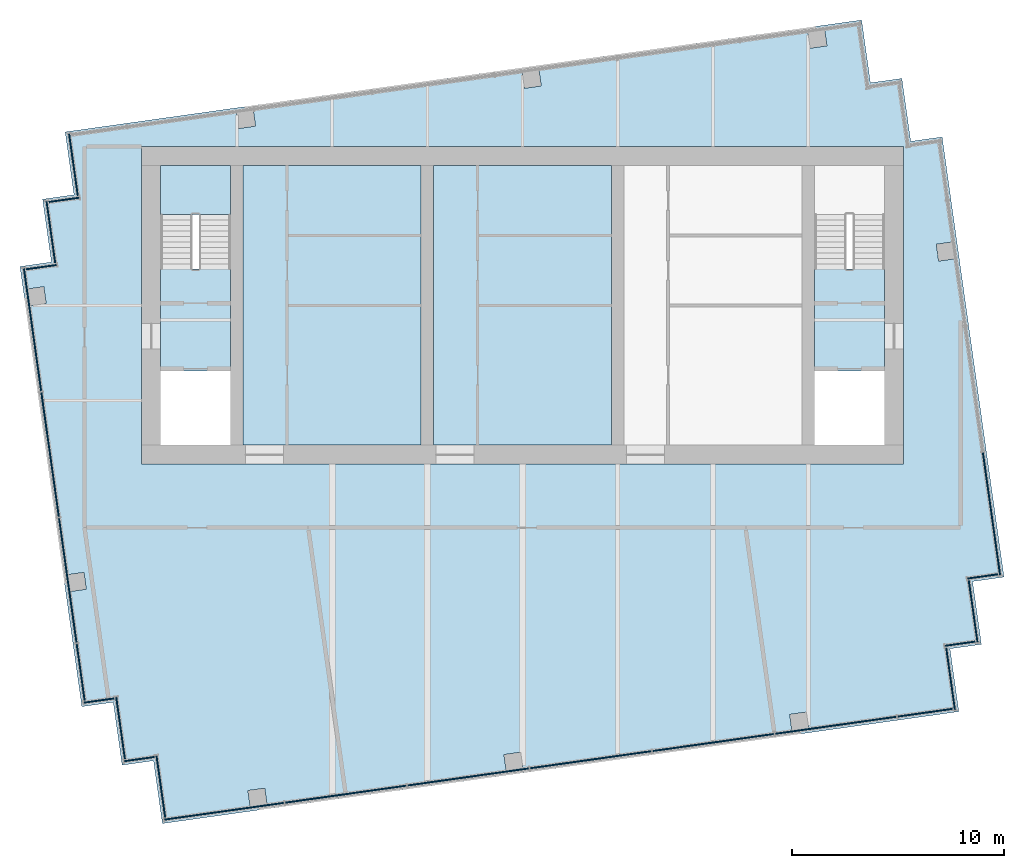
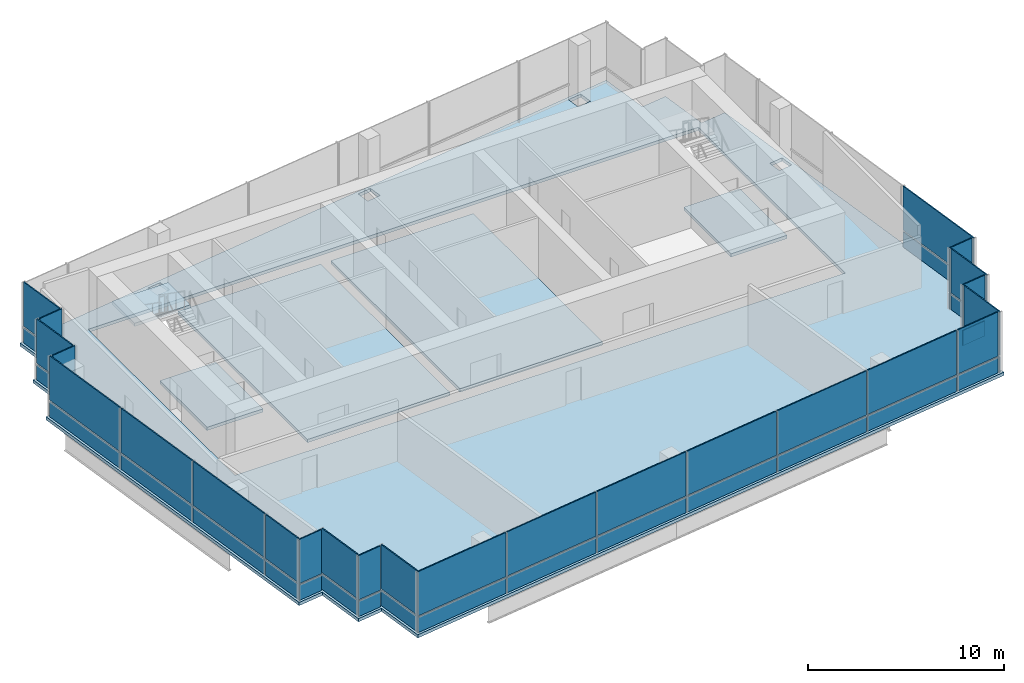
# One storey, part 6 of 9: 48 plates, 6 slabs, 16 elements without a shape of their own.
"""IFC4 building model written with IfcOpenShell, lengths in metres."""

from ifc_helpers import new_model, si_unit, direction, frame, origin, origin_2d, place, context, subcontext, project, spatial, polyline, rectangle, outline, extrude, material, layer, layer_set, type_object, element, aggregate, save


model = new_model("IFC4")

# Units and contexts
model_context = context("Model", 3, precision=1e-05, world=origin(), true_north=direction((0.0, 1.0)))
body_context = subcontext(model_context, "Body", "Model", "MODEL_VIEW")
ifc_project = project(units=[si_unit("LENGTHUNIT", "METRE"), si_unit("AREAUNIT", "SQUARE_METRE"), si_unit("VOLUMEUNIT", "CUBIC_METRE"), si_unit("PLANEANGLEUNIT", "RADIAN"), si_unit("MASSUNIT", "GRAM", prefix="KILO")], contexts=[model_context])

# Site, building, storey
site_placement = place(None, origin())
site = spatial("IfcSite", under=ifc_project, at=site_placement, CompositionType="ELEMENT")
building_placement = place(site_placement, origin())
building = spatial("IfcBuilding", under=site, at=building_placement, Name="Rattan Terrace Tower", CompositionType="ELEMENT")
storey_placement = place(building_placement, frame((0.0, 0.0, 304.300048828125)))
storey = spatial("IfcBuildingStorey", under=building, at=storey_placement, Name="C04", CompositionType="ELEMENT", Elevation=304.300048828125)

# Stair, slab
ifc_material_1 = material(Name="Concrete C40/50", Category="concrete")
stair_type = type_object("IfcStairType", Name="Core exit stair 1500", PredefinedType="HALF_TURN_STAIR", material=ifc_material_1)
stair_placement = place(storey_placement, origin())
stair = element("IfcStair", 1, at=stair_placement, inside=storey, type_object=stair_type, Name="C04 exit stair 1", PredefinedType="HALF_TURN_STAIR")
ifc_material_2 = material(Name="Concrete C40/50", Category="concrete")
ifc_layer_1 = layer(ifc_material_2, 0.199951171875)
ifc_layer_set_1 = layer_set([ifc_layer_1], Name="Core exit stair landing")
slab_type_1 = type_object("IfcSlabType", Name="Core exit stair landing", PredefinedType="LANDING", material=ifc_layer_set_1)
slab_1_placement = place(storey_placement, frame((0.0, 0.0, 1.800048828125)))
slab_1 = element("IfcSlab", 2, at=slab_1_placement, type_object=slab_type_1, Name="S1 landing 1", PredefinedType="LANDING", context=body_context, shape_type="SweptSolid", body=[
    extrude(outline(polyline([(-13.800048828125, 4.300048828125), (-13.800048828125, 6.60009765625), (-17.10009765625, 6.60009765625), (-17.10009765625, 4.300048828125), (-13.800048828125, 4.300048828125)])), origin(), (0.0, 0.0, 1.0), 0.199951171875),
])
aggregate(stair, [slab_1])

# Slabs
ifc_material_3 = material(Name="Concrete C35/45", Category="concrete")
ifc_layer_2 = layer(ifc_material_3, 0.199951171875)
ifc_layer_set_2 = layer_set([ifc_layer_2], Name="Frame composite floor slab 200")
slab_type_2 = type_object("IfcSlabType", Name="Frame composite floor slab 200", PredefinedType="FLOOR", material=ifc_layer_set_2)
slab_2_placement = place(storey_placement, frame((0.0, 0.0, -0.199951171875)))
element("IfcSlab", 3, at=slab_2_placement, inside=storey, type_object=slab_type_2, Name="Floor slab", PredefinedType="FLOOR", context=body_context, shape_type="SweptSolid", body=[
    extrude(outline(polyline([(-22.260986328125, 2.0458984375), (-23.7470703125, 1.8369140625), (-20.823974609375, -18.958984375), (-19.340087890625, -18.75), (-18.9208984375, -21.722900390625), (-17.43701171875, -21.514892578125), (-17.01904296875, -24.48388671875), (-16.52392578125, -24.4140625), (20.115966796875, -19.263916015625), (20.612060546875, -19.195068359375), (20.195068359375, -16.22509765625), (21.678955078125, -16.01611328125), (21.260986328125, -13.0458984375), (22.7470703125, -12.8369140625), (19.823974609375, 7.958984375), (18.340087890625, 7.75), (17.9208984375, 10.722900390625), (16.43701171875, 10.514892578125), (16.01904296875, 13.48388671875), (15.52392578125, 13.4140625), (-21.115966796875, 8.263916015625), (-21.612060546875, 8.195068359375), (-21.195068359375, 5.22509765625), (-22.678955078125, 5.01611328125), (-22.260986328125, 2.0458984375)]), holes=[polyline([(-12.0732421875, -23.6064453125), (-12.1845703125, -22.814208984375), (-12.976806640625, -22.925537109375), (-12.865478515625, -23.7177734375), (-12.0732421875, -23.6064453125)]), polyline([(0.022705078125, -21.906494140625), (-0.088623046875, -21.1142578125), (-0.880859375, -21.2255859375), (-0.769287109375, -22.017822265625), (0.022705078125, -21.906494140625)]), polyline([(-20.7255859375, -12.619140625), (-21.517822265625, -12.730712890625), (-21.406494140625, -13.522705078125), (-20.6142578125, -13.411376953125), (-20.7255859375, -12.619140625)]), polyline([(-18.0, -6.60009765625), (-18.0, -7.5), (18.0, -7.5), (18.0, -6.60009765625), (18.0, 6.60009765625), (18.0, 7.5), (-18.0, 7.5), (-18.0, 6.60009765625), (-18.0, -6.60009765625)]), polyline([(-22.51123046875, 0.088623046875), (-22.62255859375, 0.880859375), (-23.414794921875, 0.769287109375), (-23.303466796875, -0.022705078125), (-22.51123046875, 0.088623046875)]), polyline([(-12.619140625, 8.468505859375), (-12.730712890625, 9.2607421875), (-13.522705078125, 9.1494140625), (-13.411376953125, 8.357177734375), (-12.619140625, 8.468505859375)]), polyline([(13.522705078125, -20.009521484375), (13.411376953125, -19.21728515625), (12.619140625, -19.32861328125), (12.730712890625, -20.120849609375), (13.522705078125, -20.009521484375)]), polyline([(20.45068359375, 2.20556640625), (20.33935546875, 2.997802734375), (19.547119140625, 2.886474609375), (19.65869140625, 2.09423828125), (20.45068359375, 2.20556640625)]), polyline([(0.088623046875, 10.255126953125), (0.880859375, 10.36669921875), (0.769287109375, 11.15869140625), (-0.022705078125, 11.04736328125), (0.088623046875, 10.255126953125)]), polyline([(13.588623046875, 12.152099609375), (14.380859375, 12.263671875), (14.269287109375, 13.055908203125), (13.477294921875, 12.9443359375), (13.588623046875, 12.152099609375)])]), origin(), (0.0, 0.0, 1.0), 0.199951171875),
])
slab_3_placement = place(storey_placement, frame((0.0, 0.0, -0.199951171875)))
element("IfcSlab", 4, at=slab_3_placement, inside=storey, type_object=slab_type_2, Name="Floor slab", PredefinedType="FLOOR", context=body_context, shape_type="SweptSolid", body=[
    extrude(outline(polyline([(-13.199951171875, 6.60009765625), (-13.199951171875, -6.60009765625), (-4.800048828125, -6.60009765625), (-4.800048828125, 6.60009765625), (-13.199951171875, 6.60009765625)])), origin(), (0.0, 0.0, 1.0), 0.199951171875),
])
slab_4_placement = place(storey_placement, frame((0.0, 0.0, -0.199951171875)))
element("IfcSlab", 5, at=slab_4_placement, inside=storey, type_object=slab_type_2, Name="Floor slab", PredefinedType="FLOOR", context=body_context, shape_type="SweptSolid", body=[
    extrude(outline(polyline([(-4.199951171875, 6.60009765625), (-4.199951171875, -6.60009765625), (4.199951171875, -6.60009765625), (4.199951171875, 6.60009765625), (-4.199951171875, 6.60009765625)])), origin(), (0.0, 0.0, 1.0), 0.199951171875),
])
slab_5_placement = place(storey_placement, frame((0.0, 0.0, -0.199951171875)))
element("IfcSlab", 6, at=slab_5_placement, inside=storey, type_object=slab_type_2, Name="Floor slab", PredefinedType="FLOOR", context=body_context, shape_type="SweptSolid", body=[
    extrude(outline(polyline([(-13.800048828125, -3.10009765625), (-13.800048828125, 1.7099609375), (-17.10009765625, 1.7099609375), (-17.10009765625, -3.10009765625), (-13.800048828125, -3.10009765625)])), origin(), (0.0, 0.0, 1.0), 0.199951171875),
])
slab_6_placement = place(storey_placement, frame((0.0, 0.0, -0.199951171875)))
element("IfcSlab", 7, at=slab_6_placement, inside=storey, type_object=slab_type_2, Name="Floor slab", PredefinedType="FLOOR", context=body_context, shape_type="SweptSolid", body=[
    extrude(outline(polyline([(13.800048828125, -3.10009765625), (17.10009765625, -3.10009765625), (17.10009765625, 1.7099609375), (13.800048828125, 1.7099609375), (13.800048828125, -3.10009765625)])), origin(), (0.0, 0.0, 1.0), 0.199951171875),
])

# Curtain wall, plates
ifc_material_4 = material(Name="Aluminium and laminated glass", Category="aluminium")
ifc_layer_3 = layer(ifc_material_4, 0.239990234375)
ifc_layer_set_3 = layer_set([ifc_layer_3], Name="Lantern Stick Curtain Wall")
curtain_wall_type = type_object("IfcCurtainWallType", Name="Lantern Stick Curtain Wall", PredefinedType="NOTDEFINED", material=ifc_layer_set_3)
curtain_wall_1_placement = place(storey_placement, origin())
curtain_wall_1 = element("IfcCurtainWall", 8, at=curtain_wall_1_placement, inside=storey, type_object=curtain_wall_type, Name="Lantern curtain wall C04-1", PredefinedType="NOTDEFINED")
ifc_material_5 = material(Name="Laminated low-iron glass", Category="glass")
ifc_layer_4 = layer(ifc_material_5, 0.06591796875)
ifc_layer_set_4 = layer_set([ifc_layer_4], Name="Lantern CW Laminated Panel")
plate_type = type_object("IfcPlateType", Name="Lantern CW Laminated Panel", PredefinedType="CURTAIN_PANEL", material=ifc_layer_set_4)
plate_1_placement = place(storey_placement, frame((-23.1552734375, -1.152099609375, 0.0), z_axis=(0.0, 0.0, 1.0), x_axis=(0.139187707455, -0.990266015823, 0.0)))
plate_1 = element("IfcPlate", 9, at=plate_1_placement, type_object=plate_type, Name="Panel cwl-C04-001.1.1", PredefinedType="CURTAIN_PANEL", context=body_context, shape_type="SweptSolid", body=[
    extrude(rectangle(XDim=5.844970703125, YDim=0.06591796875, at=origin_2d()), origin(), (0.0, 0.0, 1.0), 0.949951171875),
])
plate_2_placement = place(storey_placement, frame((-23.1552734375, -1.152099609375, 1.050048828125), z_axis=(0.0, 0.0, 1.0), x_axis=(0.139187707455, -0.990266015823, 0.0)))
plate_2 = element("IfcPlate", 10, at=plate_2_placement, type_object=plate_type, Name="Panel cwl-C04-001.1.2", PredefinedType="CURTAIN_PANEL", context=body_context, shape_type="SweptSolid", body=[
    extrude(rectangle(XDim=5.844970703125, YDim=0.06591796875, at=origin_2d()), origin(), (0.0, 0.0, 1.0), 2.75),
])
plate_3_placement = place(storey_placement, frame((-22.325927734375, -7.0517578125, 0.0), z_axis=(0.0, 0.0, 1.0), x_axis=(0.139187707455, -0.990266015823, 0.0)))
plate_3 = element("IfcPlate", 11, at=plate_3_placement, type_object=plate_type, Name="Panel cwl-C04-001.2.1", PredefinedType="CURTAIN_PANEL", context=body_context, shape_type="SweptSolid", body=[
    extrude(rectangle(XDim=5.929931640625, YDim=0.06591796875, at=origin_2d()), origin(), (0.0, 0.0, 1.0), 0.949951171875),
])
plate_4_placement = place(storey_placement, frame((-22.325927734375, -7.0517578125, 1.050048828125), z_axis=(0.0, 0.0, 1.0), x_axis=(0.139187707455, -0.990266015823, 0.0)))
plate_4 = element("IfcPlate", 12, at=plate_4_placement, type_object=plate_type, Name="Panel cwl-C04-001.2.2", PredefinedType="CURTAIN_PANEL", context=body_context, shape_type="SweptSolid", body=[
    extrude(rectangle(XDim=5.929931640625, YDim=0.06591796875, at=origin_2d()), origin(), (0.0, 0.0, 1.0), 2.75),
])
plate_5_placement = place(storey_placement, frame((-21.49072265625, -12.993408203125, 0.0), z_axis=(0.0, 0.0, 1.0), x_axis=(0.139187707455, -0.990266015823, 0.0)))
plate_5 = element("IfcPlate", 13, at=plate_5_placement, type_object=plate_type, Name="Panel cwl-C04-001.3.1", PredefinedType="CURTAIN_PANEL", context=body_context, shape_type="SweptSolid", body=[
    extrude(rectangle(XDim=5.929931640625, YDim=0.06591796875, at=origin_2d()), origin(), (0.0, 0.0, 1.0), 0.949951171875),
])
plate_6_placement = place(storey_placement, frame((-21.49072265625, -12.993408203125, 1.050048828125), z_axis=(0.0, 0.0, 1.0), x_axis=(0.139187707455, -0.990266015823, 0.0)))
plate_6 = element("IfcPlate", 14, at=plate_6_placement, type_object=plate_type, Name="Panel cwl-C04-001.3.2", PredefinedType="CURTAIN_PANEL", context=body_context, shape_type="SweptSolid", body=[
    extrude(rectangle(XDim=5.929931640625, YDim=0.06591796875, at=origin_2d()), origin(), (0.0, 0.0, 1.0), 2.75),
])
plate_7_placement = place(storey_placement, frame((-20.88232421875, -17.323486328125, 0.0), z_axis=(0.0, 0.0, 1.0), x_axis=(0.139187707455, -0.990266015823, 0.0)))
plate_7 = element("IfcPlate", 15, at=plate_7_placement, type_object=plate_type, Name="Panel cwl-C04-001.4.1", PredefinedType="CURTAIN_PANEL", context=body_context, shape_type="SweptSolid", body=[
    extrude(rectangle(XDim=2.67529296875, YDim=0.06591796875, at=origin_2d()), origin(), (0.0, 0.0, 1.0), 0.949951171875),
])
plate_8_placement = place(storey_placement, frame((-20.88232421875, -17.323486328125, 1.050048828125), z_axis=(0.0, 0.0, 1.0), x_axis=(0.139187707455, -0.990266015823, 0.0)))
plate_8 = element("IfcPlate", 16, at=plate_8_placement, type_object=plate_type, Name="Panel cwl-C04-001.4.2", PredefinedType="CURTAIN_PANEL", context=body_context, shape_type="SweptSolid", body=[
    extrude(rectangle(XDim=2.67529296875, YDim=0.06591796875, at=origin_2d()), origin(), (0.0, 0.0, 1.0), 2.75),
])
aggregate(curtain_wall_1, [plate_1, plate_2, plate_3, plate_4, plate_5, plate_6, plate_7, plate_8])

curtain_wall_2_placement = place(storey_placement, origin())
curtain_wall_2 = element("IfcCurtainWall", 17, at=curtain_wall_2_placement, inside=storey, type_object=curtain_wall_type, Name="Lantern curtain wall C04-2", PredefinedType="NOTDEFINED")
plate_9_placement = place(storey_placement, frame((-20.021484375, -18.67431640625, 0.0), z_axis=(0.0, 0.0, 1.0), x_axis=(0.990227803001, 0.139459306479, 0.0)))
plate_9 = element("IfcPlate", 18, at=plate_9_placement, type_object=plate_type, Name="Panel cwl-C04-002.1.1", PredefinedType="CURTAIN_PANEL", context=body_context, shape_type="SweptSolid", body=[
    extrude(rectangle(XDim=1.428466796875, YDim=0.06591796875, at=origin_2d()), origin(), (0.0, 0.0, 1.0), 0.949951171875),
])
plate_10_placement = place(storey_placement, frame((-20.021484375, -18.67431640625, 1.050048828125), z_axis=(0.0, 0.0, 1.0), x_axis=(0.990227803001, 0.139459306479, 0.0)))
plate_10 = element("IfcPlate", 19, at=plate_10_placement, type_object=plate_type, Name="Panel cwl-C04-002.1.2", PredefinedType="CURTAIN_PANEL", context=body_context, shape_type="SweptSolid", body=[
    extrude(rectangle(XDim=1.428466796875, YDim=0.06591796875, at=origin_2d()), origin(), (0.0, 0.0, 1.0), 2.75),
])
aggregate(curtain_wall_2, [plate_9, plate_10])

curtain_wall_3_placement = place(storey_placement, origin())
curtain_wall_3 = element("IfcCurtainWall", 20, at=curtain_wall_3_placement, inside=storey, type_object=curtain_wall_type, Name="Lantern curtain wall C04-3", PredefinedType="NOTDEFINED")
plate_11_placement = place(storey_placement, frame((-18.997802734375, -19.96044921875, 0.0), z_axis=(0.0, 0.0, 1.0), x_axis=(0.139555918709, -0.990214191755, 0.0)))
plate_11 = element("IfcPlate", 21, at=plate_11_placement, type_object=plate_type, Name="Panel cwl-C04-003.1.1", PredefinedType="CURTAIN_PANEL", context=body_context, shape_type="SweptSolid", body=[
    extrude(rectangle(XDim=2.932373046875, YDim=0.06591796875, at=origin_2d()), origin(), (0.0, 0.0, 1.0), 0.949951171875),
])
plate_12_placement = place(storey_placement, frame((-18.997802734375, -19.96044921875, 1.050048828125), z_axis=(0.0, 0.0, 1.0), x_axis=(0.139555918709, -0.990214191755, 0.0)))
plate_12 = element("IfcPlate", 22, at=plate_12_placement, type_object=plate_type, Name="Panel cwl-C04-003.1.2", PredefinedType="CURTAIN_PANEL", context=body_context, shape_type="SweptSolid", body=[
    extrude(rectangle(XDim=2.932373046875, YDim=0.06591796875, at=origin_2d()), origin(), (0.0, 0.0, 1.0), 2.75),
])
aggregate(curtain_wall_3, [plate_11, plate_12])

curtain_wall_4_placement = place(storey_placement, origin())
curtain_wall_4 = element("IfcCurtainWall", 23, at=curtain_wall_4_placement, inside=storey, type_object=curtain_wall_type, Name="Lantern curtain wall C04-4", PredefinedType="NOTDEFINED")
plate_13_placement = place(storey_placement, frame((-18.11865234375, -21.43896484375, 0.0), z_axis=(0.0, 0.0, 1.0), x_axis=(0.990319742912, 0.13880492354, 0.0)))
plate_13 = element("IfcPlate", 24, at=plate_13_placement, type_object=plate_type, Name="Panel cwl-C04-004.1.1", PredefinedType="CURTAIN_PANEL", context=body_context, shape_type="SweptSolid", body=[
    extrude(rectangle(XDim=1.428466796875, YDim=0.06591796875, at=origin_2d()), origin(), (0.0, 0.0, 1.0), 0.949951171875),
])
plate_14_placement = place(storey_placement, frame((-18.11865234375, -21.43896484375, 1.050048828125), z_axis=(0.0, 0.0, 1.0), x_axis=(0.990319742912, 0.13880492354, 0.0)))
plate_14 = element("IfcPlate", 25, at=plate_14_placement, type_object=plate_type, Name="Panel cwl-C04-004.1.2", PredefinedType="CURTAIN_PANEL", context=body_context, shape_type="SweptSolid", body=[
    extrude(rectangle(XDim=1.428466796875, YDim=0.06591796875, at=origin_2d()), origin(), (0.0, 0.0, 1.0), 2.75),
])
aggregate(curtain_wall_4, [plate_13, plate_14])

curtain_wall_5_placement = place(storey_placement, origin())
curtain_wall_5 = element("IfcCurtainWall", 26, at=curtain_wall_5_placement, inside=storey, type_object=curtain_wall_type, Name="Lantern curtain wall C04-5", PredefinedType="NOTDEFINED")
plate_15_placement = place(storey_placement, frame((-17.09521484375, -22.723388671875, 0.0), z_axis=(0.0, 0.0, 1.0), x_axis=(0.139413247769, -0.990234288614, 0.0)))
plate_15 = element("IfcPlate", 27, at=plate_15_placement, type_object=plate_type, Name="Panel cwl-C04-005.1.1", PredefinedType="CURTAIN_PANEL", context=body_context, shape_type="SweptSolid", body=[
    extrude(rectangle(XDim=2.92822265625, YDim=0.06591796875, at=origin_2d()), origin(), (0.0, 0.0, 1.0), 0.949951171875),
])
plate_16_placement = place(storey_placement, frame((-17.09521484375, -22.723388671875, 1.050048828125), z_axis=(0.0, 0.0, 1.0), x_axis=(0.139413247769, -0.990234288614, 0.0)))
plate_16 = element("IfcPlate", 28, at=plate_16_placement, type_object=plate_type, Name="Panel cwl-C04-005.1.2", PredefinedType="CURTAIN_PANEL", context=body_context, shape_type="SweptSolid", body=[
    extrude(rectangle(XDim=2.92822265625, YDim=0.06591796875, at=origin_2d()), origin(), (0.0, 0.0, 1.0), 2.75),
])
aggregate(curtain_wall_5, [plate_15, plate_16])

curtain_wall_6_placement = place(storey_placement, origin())
curtain_wall_6 = element("IfcCurtainWall", 29, at=curtain_wall_6_placement, inside=storey, type_object=curtain_wall_type, Name="Lantern curtain wall C04-6", PredefinedType="NOTDEFINED")
plate_17_placement = place(storey_placement, frame((-14.10595703125, -23.90283203125, 0.0), z_axis=(0.0, 0.0, 1.0), x_axis=(0.990266952226, 0.13918104515, 0.0)))
plate_17 = element("IfcPlate", 30, at=plate_17_placement, type_object=plate_type, Name="Panel cwl-C04-006.1.1", PredefinedType="CURTAIN_PANEL", context=body_context, shape_type="SweptSolid", body=[
    extrude(rectangle(XDim=5.69091796875, YDim=0.06591796875, at=origin_2d()), origin(), (0.0, 0.0, 1.0), 0.949951171875),
])
plate_18_placement = place(storey_placement, frame((-14.10595703125, -23.90283203125, 1.050048828125), z_axis=(0.0, 0.0, 1.0), x_axis=(0.990266952226, 0.13918104515, 0.0)))
plate_18 = element("IfcPlate", 31, at=plate_18_placement, type_object=plate_type, Name="Panel cwl-C04-006.1.2", PredefinedType="CURTAIN_PANEL", context=body_context, shape_type="SweptSolid", body=[
    extrude(rectangle(XDim=5.69091796875, YDim=0.06591796875, at=origin_2d()), origin(), (0.0, 0.0, 1.0), 2.75),
])
plate_19_placement = place(storey_placement, frame((-8.359130859375, -23.09521484375, 0.0), z_axis=(0.0, 0.0, 1.0), x_axis=(0.990266952226, 0.13918104515, 0.0)))
plate_19 = element("IfcPlate", 32, at=plate_19_placement, type_object=plate_type, Name="Panel cwl-C04-006.2.1", PredefinedType="CURTAIN_PANEL", context=body_context, shape_type="SweptSolid", body=[
    extrude(rectangle(XDim=5.77587890625, YDim=0.06591796875, at=origin_2d()), origin(), (0.0, 0.0, 1.0), 0.949951171875),
])
plate_20_placement = place(storey_placement, frame((-8.359130859375, -23.09521484375, 1.050048828125), z_axis=(0.0, 0.0, 1.0), x_axis=(0.990266952226, 0.13918104515, 0.0)))
plate_20 = element("IfcPlate", 33, at=plate_20_placement, type_object=plate_type, Name="Panel cwl-C04-006.2.2", PredefinedType="CURTAIN_PANEL", context=body_context, shape_type="SweptSolid", body=[
    extrude(rectangle(XDim=5.77587890625, YDim=0.06591796875, at=origin_2d()), origin(), (0.0, 0.0, 1.0), 2.75),
])
plate_21_placement = place(storey_placement, frame((-2.570068359375, -22.281494140625, 0.0), z_axis=(0.0, 0.0, 1.0), x_axis=(0.990266952226, 0.13918104515, 0.0)))
plate_21 = element("IfcPlate", 34, at=plate_21_placement, type_object=plate_type, Name="Panel cwl-C04-006.3.1", PredefinedType="CURTAIN_PANEL", context=body_context, shape_type="SweptSolid", body=[
    extrude(rectangle(XDim=5.77587890625, YDim=0.06591796875, at=origin_2d()), origin(), (0.0, 0.0, 1.0), 0.949951171875),
])
plate_22_placement = place(storey_placement, frame((-2.570068359375, -22.281494140625, 1.050048828125), z_axis=(0.0, 0.0, 1.0), x_axis=(0.990266952226, 0.13918104515, 0.0)))
plate_22 = element("IfcPlate", 35, at=plate_22_placement, type_object=plate_type, Name="Panel cwl-C04-006.3.2", PredefinedType="CURTAIN_PANEL", context=body_context, shape_type="SweptSolid", body=[
    extrude(rectangle(XDim=5.77587890625, YDim=0.06591796875, at=origin_2d()), origin(), (0.0, 0.0, 1.0), 2.75),
])
plate_23_placement = place(storey_placement, frame((3.21923828125, -21.4677734375, 0.0), z_axis=(0.0, 0.0, 1.0), x_axis=(0.990266952226, 0.13918104515, 0.0)))
plate_23 = element("IfcPlate", 36, at=plate_23_placement, type_object=plate_type, Name="Panel cwl-C04-006.4.1", PredefinedType="CURTAIN_PANEL", context=body_context, shape_type="SweptSolid", body=[
    extrude(rectangle(XDim=5.77587890625, YDim=0.06591796875, at=origin_2d()), origin(), (0.0, 0.0, 1.0), 0.949951171875),
])
plate_24_placement = place(storey_placement, frame((3.21923828125, -21.4677734375, 1.050048828125), z_axis=(0.0, 0.0, 1.0), x_axis=(0.990266952226, 0.13918104515, 0.0)))
plate_24 = element("IfcPlate", 37, at=plate_24_placement, type_object=plate_type, Name="Panel cwl-C04-006.4.2", PredefinedType="CURTAIN_PANEL", context=body_context, shape_type="SweptSolid", body=[
    extrude(rectangle(XDim=5.77587890625, YDim=0.06591796875, at=origin_2d()), origin(), (0.0, 0.0, 1.0), 2.75),
])
plate_25_placement = place(storey_placement, frame((9.00830078125, -20.654296875, 0.0), z_axis=(0.0, 0.0, 1.0), x_axis=(0.990266952226, 0.13918104515, 0.0)))
plate_25 = element("IfcPlate", 38, at=plate_25_placement, type_object=plate_type, Name="Panel cwl-C04-006.5.1", PredefinedType="CURTAIN_PANEL", context=body_context, shape_type="SweptSolid", body=[
    extrude(rectangle(XDim=5.77587890625, YDim=0.06591796875, at=origin_2d()), origin(), (0.0, 0.0, 1.0), 0.949951171875),
])
plate_26_placement = place(storey_placement, frame((9.00830078125, -20.654296875, 1.050048828125), z_axis=(0.0, 0.0, 1.0), x_axis=(0.990266952226, 0.13918104515, 0.0)))
plate_26 = element("IfcPlate", 39, at=plate_26_placement, type_object=plate_type, Name="Panel cwl-C04-006.5.2", PredefinedType="CURTAIN_PANEL", context=body_context, shape_type="SweptSolid", body=[
    extrude(rectangle(XDim=5.77587890625, YDim=0.06591796875, at=origin_2d()), origin(), (0.0, 0.0, 1.0), 2.75),
])
plate_27_placement = place(storey_placement, frame((14.79736328125, -19.840576171875, 0.0), z_axis=(0.0, 0.0, 1.0), x_axis=(0.990266952226, 0.13918104515, 0.0)))
plate_27 = element("IfcPlate", 40, at=plate_27_placement, type_object=plate_type, Name="Panel cwl-C04-006.6.1", PredefinedType="CURTAIN_PANEL", context=body_context, shape_type="SweptSolid", body=[
    extrude(rectangle(XDim=5.77587890625, YDim=0.06591796875, at=origin_2d()), origin(), (0.0, 0.0, 1.0), 0.949951171875),
])
plate_28_placement = place(storey_placement, frame((14.79736328125, -19.840576171875, 1.050048828125), z_axis=(0.0, 0.0, 1.0), x_axis=(0.990266952226, 0.13918104515, 0.0)))
plate_28 = element("IfcPlate", 41, at=plate_28_placement, type_object=plate_type, Name="Panel cwl-C04-006.6.2", PredefinedType="CURTAIN_PANEL", context=body_context, shape_type="SweptSolid", body=[
    extrude(rectangle(XDim=5.77587890625, YDim=0.06591796875, at=origin_2d()), origin(), (0.0, 0.0, 1.0), 2.75),
])
plate_29_placement = place(storey_placement, frame((19.013916015625, -19.248046875, 0.0), z_axis=(0.0, 0.0, 1.0), x_axis=(0.990266952226, 0.13918104515, 0.0)))
plate_29 = element("IfcPlate", 42, at=plate_29_placement, type_object=plate_type, Name="Panel cwl-C04-006.7.1", PredefinedType="CURTAIN_PANEL", context=body_context, shape_type="SweptSolid", body=[
    extrude(rectangle(XDim=2.599853515625, YDim=0.06591796875, at=origin_2d()), origin(), (0.0, 0.0, 1.0), 0.949951171875),
])
plate_30_placement = place(storey_placement, frame((19.013916015625, -19.248046875, 1.050048828125), z_axis=(0.0, 0.0, 1.0), x_axis=(0.990266952226, 0.13918104515, 0.0)))
plate_30 = element("IfcPlate", 43, at=plate_30_placement, type_object=plate_type, Name="Panel cwl-C04-006.7.2", PredefinedType="CURTAIN_PANEL", context=body_context, shape_type="SweptSolid", body=[
    extrude(rectangle(XDim=2.599853515625, YDim=0.06591796875, at=origin_2d()), origin(), (0.0, 0.0, 1.0), 2.75),
])
aggregate(curtain_wall_6, [plate_17, plate_18, plate_19, plate_20, plate_21, plate_22, plate_23, plate_24, plate_25, plate_26, plate_27, plate_28, plate_29, plate_30])

curtain_wall_7_placement = place(storey_placement, origin())
curtain_wall_7 = element("IfcCurtainWall", 44, at=curtain_wall_7_placement, inside=storey, type_object=curtain_wall_type, Name="Lantern curtain wall C04-7", PredefinedType="NOTDEFINED")
plate_31_placement = place(storey_placement, frame((20.223388671875, -17.6494140625, 0.0), z_axis=(0.0, 0.0, 1.0), x_axis=(-0.139040257974, 0.990286729519, 0.0)))
plate_31 = element("IfcPlate", 45, at=plate_31_placement, type_object=plate_type, Name="Panel cwl-C04-007.1.1", PredefinedType="CURTAIN_PANEL", context=body_context, shape_type="SweptSolid", body=[
    extrude(rectangle(XDim=2.92919921875, YDim=0.06591796875, at=origin_2d()), origin(), (0.0, 0.0, 1.0), 0.949951171875),
])
plate_32_placement = place(storey_placement, frame((20.223388671875, -17.6494140625, 1.050048828125), z_axis=(0.0, 0.0, 1.0), x_axis=(-0.139040257974, 0.990286729519, 0.0)))
plate_32 = element("IfcPlate", 46, at=plate_32_placement, type_object=plate_type, Name="Panel cwl-C04-007.1.2", PredefinedType="CURTAIN_PANEL", context=body_context, shape_type="SweptSolid", body=[
    extrude(rectangle(XDim=2.92919921875, YDim=0.06591796875, at=origin_2d()), origin(), (0.0, 0.0, 1.0), 2.75),
])
aggregate(curtain_wall_7, [plate_31, plate_32])

curtain_wall_8_placement = place(storey_placement, origin())
curtain_wall_8 = element("IfcCurtainWall", 47, at=curtain_wall_8_placement, inside=storey, type_object=curtain_wall_type, Name="Lantern curtain wall C04-8", PredefinedType="NOTDEFINED")
plate_33_placement = place(storey_placement, frame((20.660888671875, -15.98779296875, 0.0), z_axis=(0.0, 0.0, 1.0), x_axis=(0.990227803001, 0.139459306479, 0.0)))
plate_33 = element("IfcPlate", 48, at=plate_33_placement, type_object=plate_type, Name="Panel cwl-C04-008.1.1", PredefinedType="CURTAIN_PANEL", context=body_context, shape_type="SweptSolid", body=[
    extrude(rectangle(XDim=1.4287109375, YDim=0.06591796875, at=origin_2d()), origin(), (0.0, 0.0, 1.0), 0.949951171875),
])
plate_34_placement = place(storey_placement, frame((20.660888671875, -15.98779296875, 1.050048828125), z_axis=(0.0, 0.0, 1.0), x_axis=(0.990227803001, 0.139459306479, 0.0)))
plate_34 = element("IfcPlate", 49, at=plate_34_placement, type_object=plate_type, Name="Panel cwl-C04-008.1.2", PredefinedType="CURTAIN_PANEL", context=body_context, shape_type="SweptSolid", body=[
    extrude(rectangle(XDim=1.4287109375, YDim=0.06591796875, at=origin_2d()), origin(), (0.0, 0.0, 1.0), 2.75),
])
aggregate(curtain_wall_8, [plate_33, plate_34])

curtain_wall_9_placement = place(storey_placement, origin())
curtain_wall_9 = element("IfcCurtainWall", 50, at=curtain_wall_9_placement, inside=storey, type_object=curtain_wall_type, Name="Lantern curtain wall C04-9", PredefinedType="NOTDEFINED")
plate_35_placement = place(storey_placement, frame((21.289794921875, -14.470458984375, 0.0), z_axis=(0.0, 0.0, 1.0), x_axis=(-0.139367219175, 0.990240767803, 0.0)))
plate_35 = element("IfcPlate", 51, at=plate_35_placement, type_object=plate_type, Name="Panel cwl-C04-009.1.1", PredefinedType="CURTAIN_PANEL", context=body_context, shape_type="SweptSolid", body=[
    extrude(rectangle(XDim=2.92919921875, YDim=0.06591796875, at=origin_2d()), origin(), (0.0, 0.0, 1.0), 0.949951171875),
])
plate_36_placement = place(storey_placement, frame((21.289794921875, -14.470458984375, 1.050048828125), z_axis=(0.0, 0.0, 1.0), x_axis=(-0.139367219175, 0.990240767803, 0.0)))
plate_36 = element("IfcPlate", 52, at=plate_36_placement, type_object=plate_type, Name="Panel cwl-C04-009.1.2", PredefinedType="CURTAIN_PANEL", context=body_context, shape_type="SweptSolid", body=[
    extrude(rectangle(XDim=2.92919921875, YDim=0.06591796875, at=origin_2d()), origin(), (0.0, 0.0, 1.0), 2.75),
])
aggregate(curtain_wall_9, [plate_35, plate_36])

curtain_wall_10_placement = place(storey_placement, origin())
curtain_wall_10 = element("IfcCurtainWall", 53, at=curtain_wall_10_placement, inside=storey, type_object=curtain_wall_type, Name="Lantern curtain wall C04-10", PredefinedType="NOTDEFINED")
plate_37_placement = place(storey_placement, frame((21.727783203125, -12.80859375, 0.0), z_axis=(0.0, 0.0, 1.0), x_axis=(0.99025370695, 0.139275252184, 0.0)))
plate_37 = element("IfcPlate", 54, at=plate_37_placement, type_object=plate_type, Name="Panel cwl-C04-010.1.1", PredefinedType="CURTAIN_PANEL", context=body_context, shape_type="SweptSolid", body=[
    extrude(rectangle(XDim=1.4306640625, YDim=0.06591796875, at=origin_2d()), origin(), (0.0, 0.0, 1.0), 0.949951171875),
])
plate_38_placement = place(storey_placement, frame((21.727783203125, -12.80859375, 1.050048828125), z_axis=(0.0, 0.0, 1.0), x_axis=(0.99025370695, 0.139275252184, 0.0)))
plate_38 = element("IfcPlate", 55, at=plate_38_placement, type_object=plate_type, Name="Panel cwl-C04-010.1.2", PredefinedType="CURTAIN_PANEL", context=body_context, shape_type="SweptSolid", body=[
    extrude(rectangle(XDim=1.4306640625, YDim=0.06591796875, at=origin_2d()), origin(), (0.0, 0.0, 1.0), 2.75),
])
aggregate(curtain_wall_10, [plate_37, plate_38])

curtain_wall_11_placement = place(storey_placement, origin())
curtain_wall_11 = element("IfcCurtainWall", 56, at=curtain_wall_11_placement, inside=storey, type_object=curtain_wall_type, Name="Lantern curtain wall C04-11", PredefinedType="NOTDEFINED")
plate_39_placement = place(storey_placement, frame((22.1552734375, -9.847900390625, 0.0), z_axis=(0.0, 0.0, 1.0), x_axis=(-0.139187707455, 0.990266015823, 0.0)))
plate_39 = element("IfcPlate", 57, at=plate_39_placement, type_object=plate_type, Name="Panel cwl-C04-011.1.1", PredefinedType="CURTAIN_PANEL", context=body_context, shape_type="SweptSolid", body=[
    extrude(rectangle(XDim=5.844970703125, YDim=0.06591796875, at=origin_2d()), origin(), (0.0, 0.0, 1.0), 0.949951171875),
])
plate_40_placement = place(storey_placement, frame((22.1552734375, -9.847900390625, 1.050048828125), z_axis=(0.0, 0.0, 1.0), x_axis=(-0.139187707455, 0.990266015823, 0.0)))
plate_40 = element("IfcPlate", 58, at=plate_40_placement, type_object=plate_type, Name="Panel cwl-C04-011.1.2", PredefinedType="CURTAIN_PANEL", context=body_context, shape_type="SweptSolid", body=[
    extrude(rectangle(XDim=5.844970703125, YDim=0.06591796875, at=origin_2d()), origin(), (0.0, 0.0, 1.0), 2.75),
])
aggregate(curtain_wall_11, [plate_39, plate_40])

curtain_wall_12_placement = place(storey_placement, origin())
curtain_wall_12 = element("IfcCurtainWall", 59, at=curtain_wall_12_placement, inside=storey, type_object=curtain_wall_type, Name="Lantern curtain wall C04-17", PredefinedType="NOTDEFINED")
plate_41_placement = place(storey_placement, frame((-21.223388671875, 6.6494140625, 0.0), z_axis=(0.0, 0.0, 1.0), x_axis=(0.139040257975, -0.990286729519, 0.0)))
plate_41 = element("IfcPlate", 60, at=plate_41_placement, type_object=plate_type, Name="Panel cwl-C04-017.1.1", PredefinedType="CURTAIN_PANEL", context=body_context, shape_type="SweptSolid", body=[
    extrude(rectangle(XDim=2.92919921875, YDim=0.06591796875, at=origin_2d()), origin(), (0.0, 0.0, 1.0), 0.949951171875),
])
plate_42_placement = place(storey_placement, frame((-21.223388671875, 6.6494140625, 1.050048828125), z_axis=(0.0, 0.0, 1.0), x_axis=(0.139040257975, -0.990286729519, 0.0)))
plate_42 = element("IfcPlate", 61, at=plate_42_placement, type_object=plate_type, Name="Panel cwl-C04-017.1.2", PredefinedType="CURTAIN_PANEL", context=body_context, shape_type="SweptSolid", body=[
    extrude(rectangle(XDim=2.92919921875, YDim=0.06591796875, at=origin_2d()), origin(), (0.0, 0.0, 1.0), 2.75),
])
aggregate(curtain_wall_12, [plate_41, plate_42])

curtain_wall_13_placement = place(storey_placement, origin())
curtain_wall_13 = element("IfcCurtainWall", 62, at=curtain_wall_13_placement, inside=storey, type_object=curtain_wall_type, Name="Lantern curtain wall C04-18", PredefinedType="NOTDEFINED")
plate_43_placement = place(storey_placement, frame((-21.660888671875, 4.98779296875, 0.0), z_axis=(0.0, 0.0, 1.0), x_axis=(-0.990227803001, -0.139459306479, 0.0)))
plate_43 = element("IfcPlate", 63, at=plate_43_placement, type_object=plate_type, Name="Panel cwl-C04-018.1.1", PredefinedType="CURTAIN_PANEL", context=body_context, shape_type="SweptSolid", body=[
    extrude(rectangle(XDim=1.4287109375, YDim=0.06591796875, at=origin_2d()), origin(), (0.0, 0.0, 1.0), 0.949951171875),
])
plate_44_placement = place(storey_placement, frame((-21.660888671875, 4.98779296875, 1.050048828125), z_axis=(0.0, 0.0, 1.0), x_axis=(-0.990227803001, -0.139459306479, 0.0)))
plate_44 = element("IfcPlate", 64, at=plate_44_placement, type_object=plate_type, Name="Panel cwl-C04-018.1.2", PredefinedType="CURTAIN_PANEL", context=body_context, shape_type="SweptSolid", body=[
    extrude(rectangle(XDim=1.4287109375, YDim=0.06591796875, at=origin_2d()), origin(), (0.0, 0.0, 1.0), 2.75),
])
aggregate(curtain_wall_13, [plate_43, plate_44])

curtain_wall_14_placement = place(storey_placement, origin())
curtain_wall_14 = element("IfcCurtainWall", 65, at=curtain_wall_14_placement, inside=storey, type_object=curtain_wall_type, Name="Lantern curtain wall C04-19", PredefinedType="NOTDEFINED")
plate_45_placement = place(storey_placement, frame((-22.289794921875, 3.470458984375, 0.0), z_axis=(0.0, 0.0, 1.0), x_axis=(0.139367219175, -0.990240767803, 0.0)))
plate_45 = element("IfcPlate", 66, at=plate_45_placement, type_object=plate_type, Name="Panel cwl-C04-019.1.1", PredefinedType="CURTAIN_PANEL", context=body_context, shape_type="SweptSolid", body=[
    extrude(rectangle(XDim=2.92919921875, YDim=0.06591796875, at=origin_2d()), origin(), (0.0, 0.0, 1.0), 0.949951171875),
])
plate_46_placement = place(storey_placement, frame((-22.289794921875, 3.470458984375, 1.050048828125), z_axis=(0.0, 0.0, 1.0), x_axis=(0.139367219175, -0.990240767803, 0.0)))
plate_46 = element("IfcPlate", 67, at=plate_46_placement, type_object=plate_type, Name="Panel cwl-C04-019.1.2", PredefinedType="CURTAIN_PANEL", context=body_context, shape_type="SweptSolid", body=[
    extrude(rectangle(XDim=2.92919921875, YDim=0.06591796875, at=origin_2d()), origin(), (0.0, 0.0, 1.0), 2.75),
])
aggregate(curtain_wall_14, [plate_45, plate_46])

curtain_wall_15_placement = place(storey_placement, origin())
curtain_wall_15 = element("IfcCurtainWall", 68, at=curtain_wall_15_placement, inside=storey, type_object=curtain_wall_type, Name="Lantern curtain wall C04-20", PredefinedType="NOTDEFINED")
plate_47_placement = place(storey_placement, frame((-22.727783203125, 1.80859375, 0.0), z_axis=(0.0, 0.0, 1.0), x_axis=(-0.99025370695, -0.139275252184, 0.0)))
plate_47 = element("IfcPlate", 69, at=plate_47_placement, type_object=plate_type, Name="Panel cwl-C04-020.1.1", PredefinedType="CURTAIN_PANEL", context=body_context, shape_type="SweptSolid", body=[
    extrude(rectangle(XDim=1.4306640625, YDim=0.06591796875, at=origin_2d()), origin(), (0.0, 0.0, 1.0), 0.949951171875),
])
plate_48_placement = place(storey_placement, frame((-22.727783203125, 1.80859375, 1.050048828125), z_axis=(0.0, 0.0, 1.0), x_axis=(-0.99025370695, -0.139275252184, 0.0)))
plate_48 = element("IfcPlate", 70, at=plate_48_placement, type_object=plate_type, Name="Panel cwl-C04-020.1.2", PredefinedType="CURTAIN_PANEL", context=body_context, shape_type="SweptSolid", body=[
    extrude(rectangle(XDim=1.4306640625, YDim=0.06591796875, at=origin_2d()), origin(), (0.0, 0.0, 1.0), 2.75),
])
aggregate(curtain_wall_15, [plate_47, plate_48])

save(model, "model.ifc")
